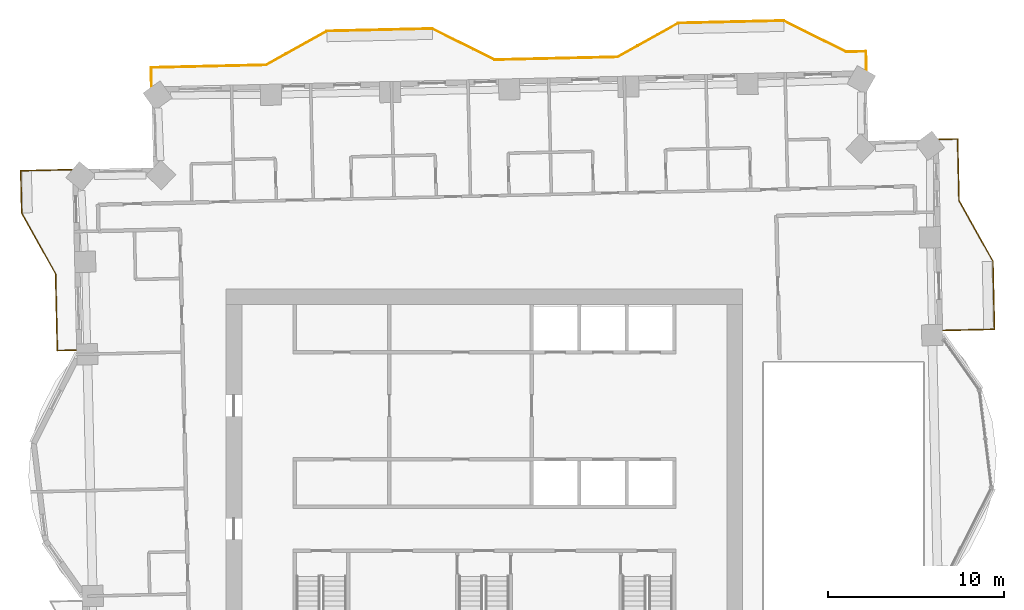
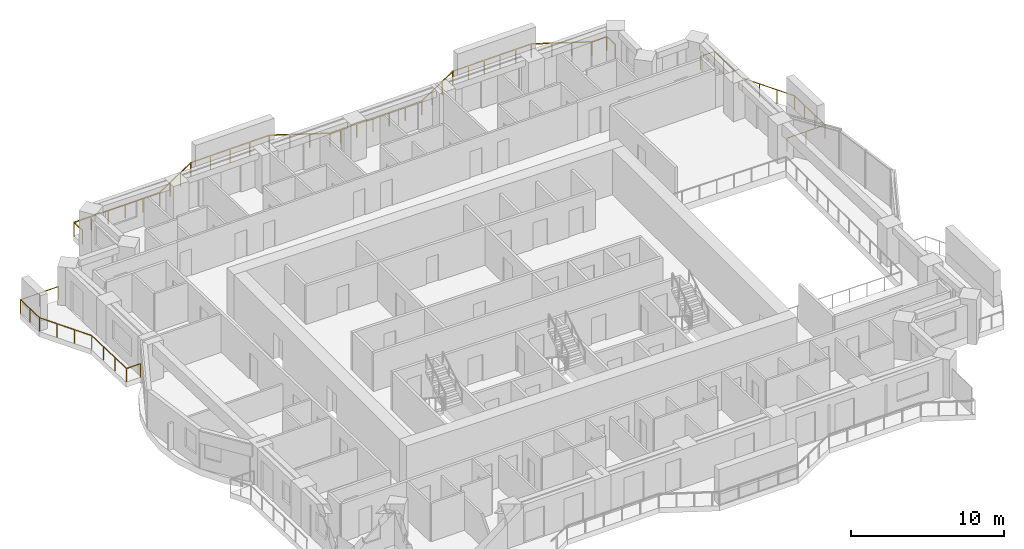
# One storey, part 16 of 16: 3 railings.
"""IFC4 building model written with IfcOpenShell, lengths in metres."""

from ifc_helpers import new_model, si_unit, direction, frame, origin, origin_2d, place, context, subcontext, project, spatial, rectangle, extrude, material, type_object, element, save


model = new_model("IFC4")

# Units and contexts
model_context = context("Model", 3, precision=1e-05, world=origin(), true_north=direction((0.0, 1.0)))
body_context = subcontext(model_context, "Body", "Model", "MODEL_VIEW")
ifc_project = project(units=[si_unit("LENGTHUNIT", "METRE"), si_unit("AREAUNIT", "SQUARE_METRE"), si_unit("VOLUMEUNIT", "CUBIC_METRE"), si_unit("PLANEANGLEUNIT", "RADIAN"), si_unit("MASSUNIT", "GRAM", prefix="KILO")], contexts=[model_context])

# Site, building, storey
site_placement = place(None, origin())
site = spatial("IfcSite", under=ifc_project, at=site_placement, CompositionType="ELEMENT")
building_placement = place(site_placement, origin())
building = spatial("IfcBuilding", under=site, at=building_placement, Name="Mangrove Gate Tower", CompositionType="ELEMENT")
storey_placement = place(building_placement, frame((0.0, 0.0, 175.300048828125)))
storey = spatial("IfcBuildingStorey", under=building, at=storey_placement, Name="L44", CompositionType="ELEMENT", Elevation=175.300048828125)

# Railings
ifc_material = material(Name="Stainless steel grade 316 with laminated glass infill", Category="steel")
railing_type = type_object("IfcRailingType", Name="Balcony guard 1100", PredefinedType="GUARDRAIL", material=ifc_material)
railing_1_placement = place(storey_placement, frame((26.112060546875, 9.333984375, 0.0)))
element("IfcRailing", 1, at=railing_1_placement, inside=storey, type_object=railing_type, Name="GUARD L44 E2", PredefinedType="GUARDRAIL", context=body_context, shape_type="SweptSolid", body=[
    extrude(rectangle(XDim=0.048095703125, YDim=0.048095703125, at=origin_2d()), frame((0.0, 0.0, 1.076171875), z_axis=(0.999750894749, 0.022319239446, 0.0), x_axis=(-0.022319239446, 0.999750894749, 0.0)), (0.0, 0.0, 1.0), 2.90966796875),
    extrude(rectangle(XDim=0.048095703125, YDim=0.048095703125, at=origin_2d()), frame((2.908935546875, 0.06494140625, 1.076171875), z_axis=(-0.022681332769, 0.999742745482, 0.0), x_axis=(-0.999742745482, -0.022681332769, 0.0)), (0.0, 0.0, 1.0), 3.875),
    extrude(rectangle(XDim=0.048095703125, YDim=0.048095703125, at=origin_2d()), frame((2.821044921875, 3.93896484375, 1.076171875), z_axis=(-0.487307108654, 0.873230657876, 0.0), x_axis=(-0.873230657876, -0.487307108654, 0.0)), (0.0, 0.0, 1.0), 3.958984375),
    extrude(rectangle(XDim=0.048095703125, YDim=0.048095703125, at=origin_2d()), frame((0.891845703125, 7.39599609375, 1.076171875), z_axis=(-0.022531258923, 0.999746138963, 0.0), x_axis=(-0.999746138963, -0.022531258923, 0.0)), (0.0, 0.0, 1.0), 3.5),
    extrude(rectangle(XDim=0.048095703125, YDim=0.048095703125, at=origin_2d()), frame((0.81298828125, 10.89501953125, 1.076171875), z_axis=(-0.999745389313, -0.022564497502, 0.0), x_axis=(0.022564497502, -0.999745389313, 0.0)), (0.0, 0.0, 1.0), 1.060302734375),
    extrude(rectangle(XDim=0.0419921875, YDim=0.0419921875, at=origin_2d()), origin(), (0.0, 0.0, 1.0), 1.052001953125),
    extrude(rectangle(XDim=0.0419921875, YDim=0.0419921875, at=origin_2d()), frame((1.45458984375, 0.032470703125, 0.0)), (0.0, 0.0, 1.0), 1.052001953125),
    extrude(rectangle(XDim=0.0419921875, YDim=0.0419921875, at=origin_2d()), frame((2.908935546875, 0.06494140625, 0.0)), (0.0, 0.0, 1.0), 1.052001953125),
    extrude(rectangle(XDim=0.0419921875, YDim=0.0419921875, at=origin_2d()), frame((2.879638671875, 1.356201171875, 0.0)), (0.0, 0.0, 1.0), 1.052001953125),
    extrude(rectangle(XDim=0.0419921875, YDim=0.0419921875, at=origin_2d()), frame((2.850341796875, 2.647705078125, 0.0)), (0.0, 0.0, 1.0), 1.052001953125),
    extrude(rectangle(XDim=0.0419921875, YDim=0.0419921875, at=origin_2d()), frame((2.821044921875, 3.93896484375, 0.0)), (0.0, 0.0, 1.0), 1.052001953125),
    extrude(rectangle(XDim=0.0419921875, YDim=0.0419921875, at=origin_2d()), frame((2.177978515625, 5.09130859375, 0.0)), (0.0, 0.0, 1.0), 1.052001953125),
    extrude(rectangle(XDim=0.0419921875, YDim=0.0419921875, at=origin_2d()), frame((1.534912109375, 6.24365234375, 0.0)), (0.0, 0.0, 1.0), 1.052001953125),
    extrude(rectangle(XDim=0.0419921875, YDim=0.0419921875, at=origin_2d()), frame((0.891845703125, 7.39599609375, 0.0)), (0.0, 0.0, 1.0), 1.052001953125),
    extrude(rectangle(XDim=0.0419921875, YDim=0.0419921875, at=origin_2d()), frame((0.865478515625, 8.562255859375, 0.0)), (0.0, 0.0, 1.0), 1.052001953125),
    extrude(rectangle(XDim=0.0419921875, YDim=0.0419921875, at=origin_2d()), frame((0.83935546875, 9.728759765625, 0.0)), (0.0, 0.0, 1.0), 1.052001953125),
    extrude(rectangle(XDim=0.0419921875, YDim=0.0419921875, at=origin_2d()), frame((0.81298828125, 10.89501953125, 0.0)), (0.0, 0.0, 1.0), 1.052001953125),
    extrude(rectangle(XDim=0.0419921875, YDim=0.0419921875, at=origin_2d()), frame((-0.2470703125, 10.87109375, 0.0)), (0.0, 0.0, 1.0), 1.052001953125),
])
railing_2_placement = place(storey_placement, frame((21.735107421875, 24.153076171875, 0.0)))
element("IfcRailing", 2, at=railing_2_placement, inside=storey, type_object=railing_type, Name="GUARD L44 N1", PredefinedType="GUARDRAIL", context=body_context, shape_type="SweptSolid", body=[
    extrude(rectangle(XDim=0.048095703125, YDim=0.048095703125, at=origin_2d()), frame((0.0, 0.0, 1.076171875), z_axis=(-0.022820894023, 0.999739569486, 0.0), x_axis=(-0.999739569486, -0.022820894023, 0.0)), (0.0, 0.0, 1.0), 1.05908203125),
    extrude(rectangle(XDim=0.048095703125, YDim=0.048095703125, at=origin_2d()), frame((-0.024169921875, 1.058837890625, 1.076171875), z_axis=(-0.999742387968, -0.022697085698, 0.0), x_axis=(0.022697085698, -0.999742387968, 0.0)), (0.0, 0.0, 1.0), 1.14013671875),
    extrude(rectangle(XDim=0.048095703125, YDim=0.048095703125, at=origin_2d()), frame((-1.1640625, 1.032958984375, 1.076171875), z_axis=(-0.894377854182, 0.447312255532, 0.0), x_axis=(-0.447312255532, -0.894377854182, 0.0)), (0.0, 0.0, 1.0), 3.959228515625),
    extrude(rectangle(XDim=0.048095703125, YDim=0.048095703125, at=origin_2d()), frame((-4.705078125, 2.803955078125, 1.076171875), z_axis=(-0.999739477659, -0.022824916448, 0.0), x_axis=(0.022824916448, -0.999739477659, 0.0)), (0.0, 0.0, 1.0), 6.00048828125),
    extrude(rectangle(XDim=0.048095703125, YDim=0.048095703125, at=origin_2d()), frame((-10.7041015625, 2.6669921875, 1.076171875), z_axis=(-0.873361856081, -0.487071933437, 0.0), x_axis=(0.487071933437, -0.873361856081, 0.0)), (0.0, 0.0, 1.0), 3.958251953125),
    extrude(rectangle(XDim=0.048095703125, YDim=0.048095703125, at=origin_2d()), frame((-14.1611328125, 0.739013671875, 1.076171875), z_axis=(-0.999740919865, -0.022761659577, 0.0), x_axis=(0.022761659577, -0.999740919865, 0.0)), (0.0, 0.0, 1.0), 6.19970703125),
    extrude(rectangle(XDim=0.048095703125, YDim=0.048095703125, at=origin_2d()), frame((-20.359130859375, 0.597900390625, 1.076171875), z_axis=(-0.999745132473, -0.022575874215, 0.0), x_axis=(0.022575874215, -0.999745132473, 0.0)), (0.0, 0.0, 1.0), 0.80029296875),
    extrude(rectangle(XDim=0.048095703125, YDim=0.048095703125, at=origin_2d()), frame((-21.1591796875, 0.579833984375, 1.076171875), z_axis=(-0.894476522376, 0.447114919141, 0.0), x_axis=(-0.447114919141, -0.894476522376, 0.0)), (0.0, 0.0, 1.0), 3.958740234375),
    extrude(rectangle(XDim=0.048095703125, YDim=0.048095703125, at=origin_2d()), frame((-24.7001953125, 2.349853515625, 1.076171875), z_axis=(-0.999743073592, -0.022666865795, 0.0), x_axis=(0.022666865795, -0.999743073592, 0.0)), (0.0, 0.0, 1.0), 5.999267578125),
    extrude(rectangle(XDim=0.048095703125, YDim=0.048095703125, at=origin_2d()), frame((-30.697998046875, 2.2138671875, 1.076171875), z_axis=(-0.873315448515, -0.487155136876, 0.0), x_axis=(0.487155136876, -0.873315448515, 0.0)), (0.0, 0.0, 1.0), 3.959716796875),
    extrude(rectangle(XDim=0.048095703125, YDim=0.048095703125, at=origin_2d()), frame((-34.156005859375, 0.284912109375, 1.076171875), z_axis=(-0.999740677876, -0.022772285792, 0.0), x_axis=(0.022772285792, -0.999740677876, 0.0)), (0.0, 0.0, 1.0), 6.539794921875),
    extrude(rectangle(XDim=0.048095703125, YDim=0.048095703125, at=origin_2d()), frame((-40.694091796875, 0.135986328125, 1.076171875), z_axis=(0.022585293253, -0.999744919731, 0.0), x_axis=(0.999744919731, 0.022585293253, 0.0)), (0.0, 0.0, 1.0), 1.059326171875),
    extrude(rectangle(XDim=0.0419921875, YDim=0.0419921875, at=origin_2d()), origin(), (0.0, 0.0, 1.0), 1.052001953125),
    extrude(rectangle(XDim=0.0419921875, YDim=0.0419921875, at=origin_2d()), frame((-0.024169921875, 1.058837890625, 0.0)), (0.0, 0.0, 1.0), 1.052001953125),
    extrude(rectangle(XDim=0.0419921875, YDim=0.0419921875, at=origin_2d()), frame((-1.1640625, 1.032958984375, 0.0)), (0.0, 0.0, 1.0), 1.052001953125),
    extrude(rectangle(XDim=0.0419921875, YDim=0.0419921875, at=origin_2d()), frame((-2.344482421875, 1.623291015625, 0.0)), (0.0, 0.0, 1.0), 1.052001953125),
    extrude(rectangle(XDim=0.0419921875, YDim=0.0419921875, at=origin_2d()), frame((-3.524658203125, 2.213623046875, 0.0)), (0.0, 0.0, 1.0), 1.052001953125),
    extrude(rectangle(XDim=0.0419921875, YDim=0.0419921875, at=origin_2d()), frame((-4.705078125, 2.803955078125, 0.0)), (0.0, 0.0, 1.0), 1.052001953125),
    extrude(rectangle(XDim=0.0419921875, YDim=0.0419921875, at=origin_2d()), frame((-5.90478515625, 2.776611328125, 0.0)), (0.0, 0.0, 1.0), 1.052001953125),
    extrude(rectangle(XDim=0.0419921875, YDim=0.0419921875, at=origin_2d()), frame((-7.104736328125, 2.749267578125, 0.0)), (0.0, 0.0, 1.0), 1.052001953125),
    extrude(rectangle(XDim=0.0419921875, YDim=0.0419921875, at=origin_2d()), frame((-8.304443359375, 2.7216796875, 0.0)), (0.0, 0.0, 1.0), 1.052001953125),
    extrude(rectangle(XDim=0.0419921875, YDim=0.0419921875, at=origin_2d()), frame((-9.50439453125, 2.6943359375, 0.0)), (0.0, 0.0, 1.0), 1.052001953125),
    extrude(rectangle(XDim=0.0419921875, YDim=0.0419921875, at=origin_2d()), frame((-10.7041015625, 2.6669921875, 0.0)), (0.0, 0.0, 1.0), 1.052001953125),
    extrude(rectangle(XDim=0.0419921875, YDim=0.0419921875, at=origin_2d()), frame((-11.8564453125, 2.0244140625, 0.0)), (0.0, 0.0, 1.0), 1.052001953125),
    extrude(rectangle(XDim=0.0419921875, YDim=0.0419921875, at=origin_2d()), frame((-13.0087890625, 1.381591796875, 0.0)), (0.0, 0.0, 1.0), 1.052001953125),
    extrude(rectangle(XDim=0.0419921875, YDim=0.0419921875, at=origin_2d()), frame((-14.1611328125, 0.739013671875, 0.0)), (0.0, 0.0, 1.0), 1.052001953125),
    extrude(rectangle(XDim=0.0419921875, YDim=0.0419921875, at=origin_2d()), frame((-15.400634765625, 0.710693359375, 0.0)), (0.0, 0.0, 1.0), 1.052001953125),
    extrude(rectangle(XDim=0.0419921875, YDim=0.0419921875, at=origin_2d()), frame((-16.640380859375, 0.6826171875, 0.0)), (0.0, 0.0, 1.0), 1.052001953125),
    extrude(rectangle(XDim=0.0419921875, YDim=0.0419921875, at=origin_2d()), frame((-17.8798828125, 0.654296875, 0.0)), (0.0, 0.0, 1.0), 1.052001953125),
    extrude(rectangle(XDim=0.0419921875, YDim=0.0419921875, at=origin_2d()), frame((-19.11962890625, 0.626220703125, 0.0)), (0.0, 0.0, 1.0), 1.052001953125),
    extrude(rectangle(XDim=0.0419921875, YDim=0.0419921875, at=origin_2d()), frame((-20.359130859375, 0.597900390625, 0.0)), (0.0, 0.0, 1.0), 1.052001953125),
    extrude(rectangle(XDim=0.0419921875, YDim=0.0419921875, at=origin_2d()), frame((-21.1591796875, 0.579833984375, 0.0)), (0.0, 0.0, 1.0), 1.052001953125),
    extrude(rectangle(XDim=0.0419921875, YDim=0.0419921875, at=origin_2d()), frame((-22.339599609375, 1.169921875, 0.0)), (0.0, 0.0, 1.0), 1.052001953125),
    extrude(rectangle(XDim=0.0419921875, YDim=0.0419921875, at=origin_2d()), frame((-23.519775390625, 1.759765625, 0.0)), (0.0, 0.0, 1.0), 1.052001953125),
    extrude(rectangle(XDim=0.0419921875, YDim=0.0419921875, at=origin_2d()), frame((-24.7001953125, 2.349853515625, 0.0)), (0.0, 0.0, 1.0), 1.052001953125),
    extrude(rectangle(XDim=0.0419921875, YDim=0.0419921875, at=origin_2d()), frame((-26.19970703125, 2.31591796875, 0.0)), (0.0, 0.0, 1.0), 1.052001953125),
    extrude(rectangle(XDim=0.0419921875, YDim=0.0419921875, at=origin_2d()), frame((-27.69921875, 2.28173828125, 0.0)), (0.0, 0.0, 1.0), 1.052001953125),
    extrude(rectangle(XDim=0.0419921875, YDim=0.0419921875, at=origin_2d()), frame((-29.198486328125, 2.247802734375, 0.0)), (0.0, 0.0, 1.0), 1.052001953125),
    extrude(rectangle(XDim=0.0419921875, YDim=0.0419921875, at=origin_2d()), frame((-30.697998046875, 2.2138671875, 0.0)), (0.0, 0.0, 1.0), 1.052001953125),
    extrude(rectangle(XDim=0.0419921875, YDim=0.0419921875, at=origin_2d()), frame((-31.8505859375, 1.57080078125, 0.0)), (0.0, 0.0, 1.0), 1.052001953125),
    extrude(rectangle(XDim=0.0419921875, YDim=0.0419921875, at=origin_2d()), frame((-33.00341796875, 0.927978515625, 0.0)), (0.0, 0.0, 1.0), 1.052001953125),
    extrude(rectangle(XDim=0.0419921875, YDim=0.0419921875, at=origin_2d()), frame((-34.156005859375, 0.284912109375, 0.0)), (0.0, 0.0, 1.0), 1.052001953125),
    extrude(rectangle(XDim=0.0419921875, YDim=0.0419921875, at=origin_2d()), frame((-35.463623046875, 0.255126953125, 0.0)), (0.0, 0.0, 1.0), 1.052001953125),
    extrude(rectangle(XDim=0.0419921875, YDim=0.0419921875, at=origin_2d()), frame((-36.771240234375, 0.225341796875, 0.0)), (0.0, 0.0, 1.0), 1.052001953125),
    extrude(rectangle(XDim=0.0419921875, YDim=0.0419921875, at=origin_2d()), frame((-38.078857421875, 0.195556640625, 0.0)), (0.0, 0.0, 1.0), 1.052001953125),
    extrude(rectangle(XDim=0.0419921875, YDim=0.0419921875, at=origin_2d()), frame((-39.386474609375, 0.165771484375, 0.0)), (0.0, 0.0, 1.0), 1.052001953125),
    extrude(rectangle(XDim=0.0419921875, YDim=0.0419921875, at=origin_2d()), frame((-40.694091796875, 0.135986328125, 0.0)), (0.0, 0.0, 1.0), 1.052001953125),
    extrude(rectangle(XDim=0.0419921875, YDim=0.0419921875, at=origin_2d()), frame((-40.670166015625, -0.923095703125, 0.0)), (0.0, 0.0, 1.0), 1.052001953125),
])
railing_3_placement = place(storey_placement, frame((-23.468017578125, 18.486083984375, 0.0)))
element("IfcRailing", 3, at=railing_3_placement, inside=storey, type_object=railing_type, Name="GUARD L44 W1", PredefinedType="GUARDRAIL", context=body_context, shape_type="SweptSolid", body=[
    extrude(rectangle(XDim=0.048095703125, YDim=0.048095703125, at=origin_2d()), frame((0.0, 0.0, 1.076171875), z_axis=(-0.999741618984, -0.02273093202, 0.0), x_axis=(0.02273093202, -0.999741618984, 0.0)), (0.0, 0.0, 1.0), 2.91064453125),
    extrude(rectangle(XDim=0.048095703125, YDim=0.048095703125, at=origin_2d()), frame((-2.909912109375, -0.066162109375, 1.076171875), z_axis=(0.022883121373, -0.999738147095, 0.0), x_axis=(0.999738147095, 0.022883121373, 0.0)), (0.0, 0.0, 1.0), 2.400634765625),
    extrude(rectangle(XDim=0.048095703125, YDim=0.048095703125, at=origin_2d()), frame((-2.85498046875, -2.466064453125, 1.076171875), z_axis=(0.48726008209, -0.87325689943, 0.0), x_axis=(0.87325689943, 0.48726008209, 0.0)), (0.0, 0.0, 1.0), 3.958740234375),
    extrude(rectangle(XDim=0.048095703125, YDim=0.048095703125, at=origin_2d()), frame((-0.926025390625, -5.923095703125, 1.076171875), z_axis=(0.022660548572, -0.9997432168, 0.0), x_axis=(0.9997432168, 0.022660548572, 0.0)), (0.0, 0.0, 1.0), 4.374267578125),
    extrude(rectangle(XDim=0.048095703125, YDim=0.048095703125, at=origin_2d()), frame((-0.826904296875, -10.296142578125, 1.076171875), z_axis=(0.999765634628, 0.021648921828, 0.0), x_axis=(-0.021648921828, 0.999765634628, 0.0)), (0.0, 0.0, 1.0), 1.06005859375),
    extrude(rectangle(XDim=0.0419921875, YDim=0.0419921875, at=origin_2d()), origin(), (0.0, 0.0, 1.0), 1.052001953125),
    extrude(rectangle(XDim=0.0419921875, YDim=0.0419921875, at=origin_2d()), frame((-1.455078125, -0.033203125, 0.0)), (0.0, 0.0, 1.0), 1.052001953125),
    extrude(rectangle(XDim=0.0419921875, YDim=0.0419921875, at=origin_2d()), frame((-2.909912109375, -0.066162109375, 0.0)), (0.0, 0.0, 1.0), 1.052001953125),
    extrude(rectangle(XDim=0.0419921875, YDim=0.0419921875, at=origin_2d()), frame((-2.88232421875, -1.26611328125, 0.0)), (0.0, 0.0, 1.0), 1.052001953125),
    extrude(rectangle(XDim=0.0419921875, YDim=0.0419921875, at=origin_2d()), frame((-2.85498046875, -2.466064453125, 0.0)), (0.0, 0.0, 1.0), 1.052001953125),
    extrude(rectangle(XDim=0.0419921875, YDim=0.0419921875, at=origin_2d()), frame((-2.2119140625, -3.618408203125, 0.0)), (0.0, 0.0, 1.0), 1.052001953125),
    extrude(rectangle(XDim=0.0419921875, YDim=0.0419921875, at=origin_2d()), frame((-1.569091796875, -4.770751953125, 0.0)), (0.0, 0.0, 1.0), 1.052001953125),
    extrude(rectangle(XDim=0.0419921875, YDim=0.0419921875, at=origin_2d()), frame((-0.926025390625, -5.923095703125, 0.0)), (0.0, 0.0, 1.0), 1.052001953125),
    extrude(rectangle(XDim=0.0419921875, YDim=0.0419921875, at=origin_2d()), frame((-0.89306640625, -7.380859375, 0.0)), (0.0, 0.0, 1.0), 1.052001953125),
    extrude(rectangle(XDim=0.0419921875, YDim=0.0419921875, at=origin_2d()), frame((-0.85986328125, -8.83837890625, 0.0)), (0.0, 0.0, 1.0), 1.052001953125),
    extrude(rectangle(XDim=0.0419921875, YDim=0.0419921875, at=origin_2d()), frame((-0.826904296875, -10.296142578125, 0.0)), (0.0, 0.0, 1.0), 1.052001953125),
    extrude(rectangle(XDim=0.0419921875, YDim=0.0419921875, at=origin_2d()), frame((0.23291015625, -10.273193359375, 0.0)), (0.0, 0.0, 1.0), 1.052001953125),
])

save(model, "model.ifc")
